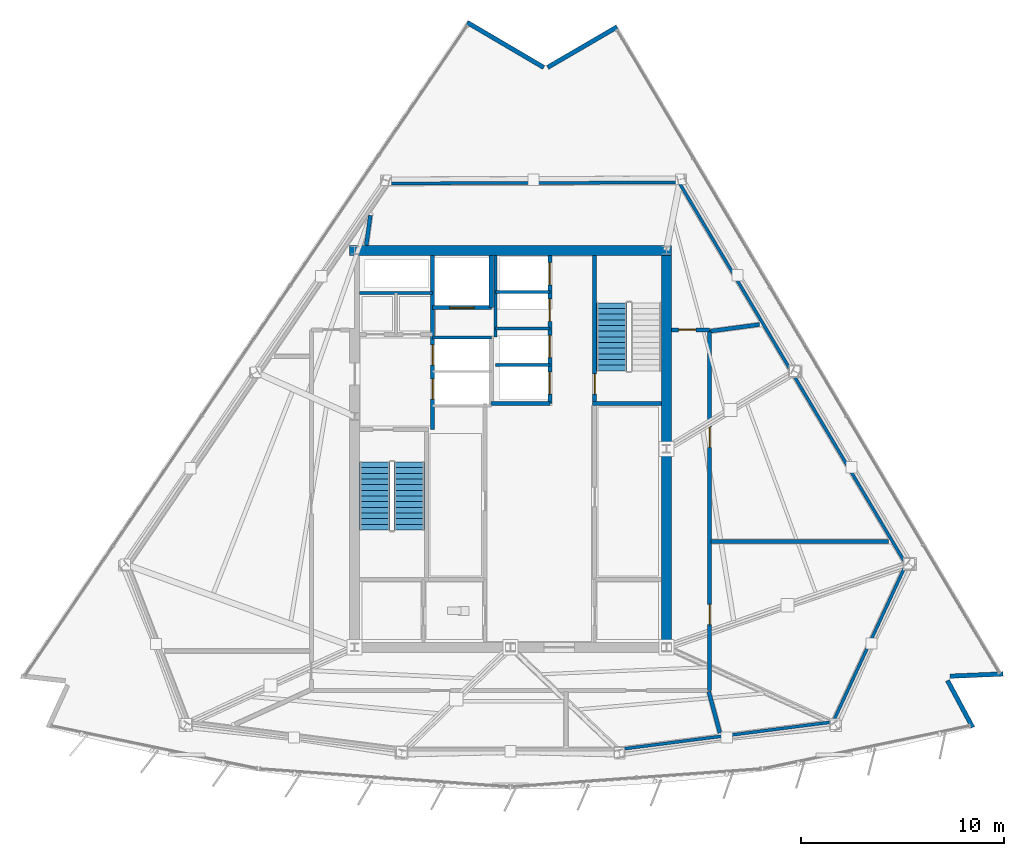
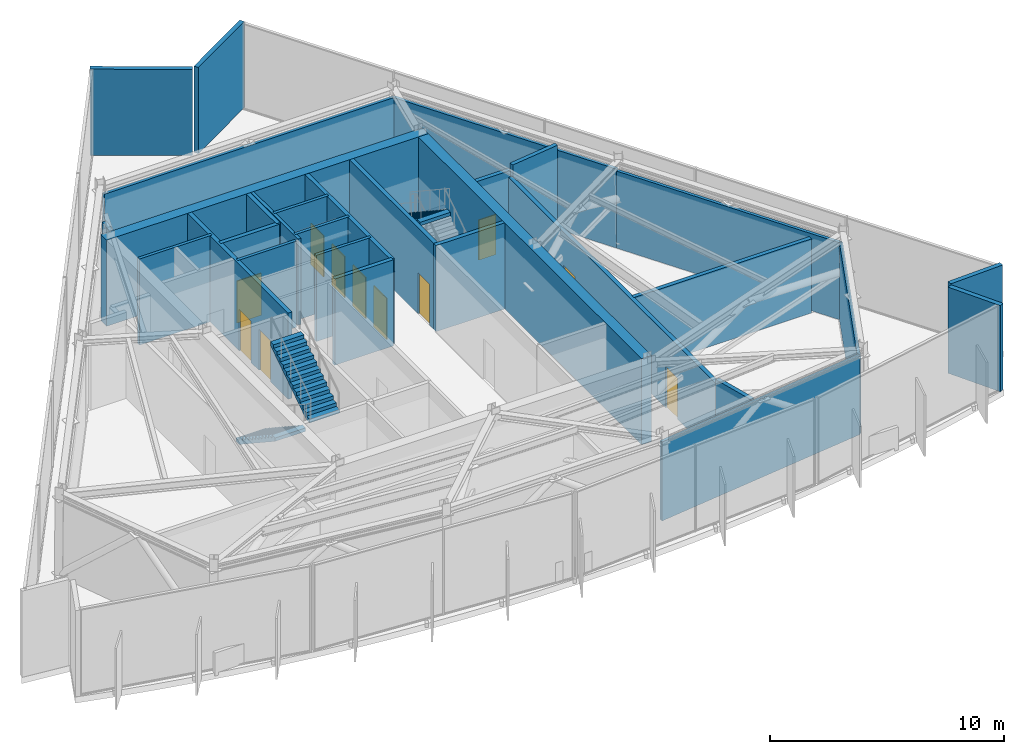
# One storey, part 9 of 14: 30 walls, 11 doors, 3 stair flights, 11 openings, 2 elements without a shape of their own.
"""IFC4 building model written with IfcOpenShell, lengths in metres."""

from ifc_helpers import new_model, si_unit, direction, frame, frame_2d, origin, place, context, subcontext, project, spatial, polyline, rectangle, outline, extrude, material, layer, layer_set, type_object, element, fill, aggregate, save


model = new_model("IFC4")

# Units and contexts
model_context = context("Model", 3, precision=1e-05, world=origin(), true_north=direction((0.0, 1.0)))
body_context = subcontext(model_context, "Body", "Model", "MODEL_VIEW")
ifc_project = project(units=[si_unit("LENGTHUNIT", "METRE"), si_unit("AREAUNIT", "SQUARE_METRE"), si_unit("VOLUMEUNIT", "CUBIC_METRE"), si_unit("PLANEANGLEUNIT", "RADIAN"), si_unit("MASSUNIT", "GRAM", prefix="KILO")], contexts=[model_context])

# Site, building, storey
site_placement = place(None, origin())
site = spatial("IfcSite", under=ifc_project, at=site_placement, CompositionType="ELEMENT")
building_placement = place(site_placement, origin())
building = spatial("IfcBuilding", under=site, at=building_placement, Name="Savorim Split Tower", CompositionType="ELEMENT")
storey_placement = place(building_placement, frame((0.0, 0.0, 241.5)))
storey = spatial("IfcBuildingStorey", under=building, at=storey_placement, Name="L64", CompositionType="ELEMENT", Elevation=241.5)

# Walls
ifc_material_1 = material(Name="Concrete C60/75", Category="concrete")
ifc_layer_1 = layer(ifc_material_1, 0.5)
ifc_layer_set_1 = layer_set([ifc_layer_1], Name="WAL-COR-SH500")
wall_type_1 = type_object("IfcWallType", Name="WAL-COR-SH500", PredefinedType="SHEAR", material=ifc_layer_set_1)
wall_1_placement = place(storey_placement, frame((7.949951171875, 10.199951171875, 0.0), z_axis=(0.0, 0.0, 1.0), x_axis=(-1.0, 0.0, 0.0)))
element("IfcWall", 1, at=wall_1_placement, inside=storey, type_object=wall_type_1, Name="L64 Offset Core North Shear Wall", PredefinedType="SHEAR", context=body_context, shape_type="SweptSolid", body=[
    extrude(rectangle(XDim=15.89990234375, YDim=0.5, at=frame_2d((7.949951171875, 0.0))), origin(), (0.0, 0.0, 1.0), 4.5),
])
wall_2_placement = place(storey_placement, frame((7.699951171875, 9.949951171875, 0.0), z_axis=(0.0, 0.0, 1.0), x_axis=(0.0, -1.0, 0.0)))
element("IfcWall", 2, at=wall_2_placement, inside=storey, type_object=wall_type_1, Name="L64 Offset Core East Shear Wall", PredefinedType="SHEAR", context=body_context, shape_type="SweptSolid", body=[
    extrude(rectangle(XDim=19.099853515625, YDim=0.5, at=frame_2d((9.5498046875, 0.0))), origin(), (0.0, 0.0, 1.0), 4.5),
])
ifc_material_2 = material(Name="Precast concrete C40/50", Category="concrete")
ifc_layer_2 = layer(ifc_material_2, 0.219970703125)
ifc_layer_set_2 = layer_set([ifc_layer_2], Name="WAL-EXT-CRN220")
wall_type_2 = type_object("IfcWallType", Name="WAL-EXT-CRN220", PredefinedType="SOLIDWALL", material=ifc_layer_set_2)
wall_3_placement = place(storey_placement, frame((21.58056640625, -11.03955078125, 0.0), z_axis=(0.0, 0.0, 1.0), x_axis=(0.472791303324, -0.881174434208, 0.0)))
element("IfcWall", 3, at=wall_3_placement, inside=storey, type_object=wall_type_2, Name="L64 Notched Corner Facade Wall SE1", PredefinedType="SOLIDWALL", context=body_context, shape_type="SweptSolid", body=[
    extrude(rectangle(XDim=2.626953125, YDim=0.219970703125, at=frame_2d((1.3134765625, 0.0))), origin(), (0.0, 0.0, 1.0), 4.5),
])
wall_4_placement = place(storey_placement, frame((24.32421875, -10.71435546875, 0.0), z_axis=(0.0, 0.0, 1.0), x_axis=(-0.999095924753, -0.042512740932, 0.0)))
element("IfcWall", 4, at=wall_4_placement, inside=storey, type_object=wall_type_2, Name="L64 Notched Corner Facade Wall SE", PredefinedType="SOLIDWALL", context=body_context, shape_type="SweptSolid", body=[
    extrude(rectangle(XDim=2.62451171875, YDim=0.219970703125, at=frame_2d((1.312255859375, 0.0))), origin(), (0.0, 0.0, 1.0), 4.5),
])
wall_5_placement = place(storey_placement, frame((1.832275390625, 19.233642578125, 0.0), z_axis=(0.0, 0.0, 1.0), x_axis=(0.86397765749, 0.503530145432, 0.0)))
element("IfcWall", 5, at=wall_5_placement, inside=storey, type_object=wall_type_2, Name="L64 Notched Corner Facade Wall NE1", PredefinedType="SOLIDWALL", context=body_context, shape_type="SweptSolid", body=[
    extrude(rectangle(XDim=3.963623046875, YDim=0.219970703125, at=frame_2d((1.98193359375, 0.0))), origin(), (0.0, 0.0, 1.0), 4.5),
])
wall_6_placement = place(storey_placement, frame((-2.1337890625, 21.453125, 0.0), z_axis=(0.0, 0.0, 1.0), x_axis=(0.862106131527, -0.506727755292, 0.0)))
element("IfcWall", 6, at=wall_6_placement, inside=storey, type_object=wall_type_2, Name="L64 Notched Corner Facade Wall N", PredefinedType="SOLIDWALL", context=body_context, shape_type="SweptSolid", body=[
    extrude(rectangle(XDim=4.379638671875, YDim=0.219970703125, at=frame_2d((2.18994140625, 0.0))), origin(), (0.0, 0.0, 1.0), 4.5),
])

# Wall, openings, doors
ifc_material_3 = material(Name="Concrete C50/60", Category="concrete")
ifc_layer_3 = layer(ifc_material_3, 0.199951171875)
ifc_layer_set_3 = layer_set([ifc_layer_3], Name="WAL-INT-RC200")
wall_type_3 = type_object("IfcWallType", Name="WAL-INT-RC200", PredefinedType="SOLIDWALL", material=ifc_layer_set_3)
wall_7_placement = place(storey_placement, frame((-3.85009765625, 1.35009765625, 0.0), z_axis=(0.0, 0.0, 1.0), x_axis=(0.0, 1.0, 0.0)))
wall_7 = element("IfcWall", 7, at=wall_7_placement, inside=storey, type_object=wall_type_3, Name="L64 Partition W-L64-CR03", PredefinedType="SOLIDWALL", context=body_context, shape_type="SweptSolid", body=[
    extrude(rectangle(XDim=8.594970703125, YDim=0.199951171875, at=frame_2d((4.29736328125, 0.0))), origin(), (0.0, 0.0, 1.0), 4.5),
])
opening_1_placement = place(wall_7_placement, frame((1.5, 0.0, 0.0)))
opening_1 = element("IfcOpeningElement", 8, at=opening_1_placement, cuts=wall_7, Name="Opening LD-FFL", PredefinedType="OPENING", context=body_context, shape_type="SweptSolid", body=[
    extrude(rectangle(XDim=1.0, YDim=2.14990234375, at=frame_2d((0.5, 1.074951171875))), frame((0.0, 0.10986328125, 0.0), z_axis=(0.0, -1.0, 0.0), x_axis=(1.0, 0.0, 0.0)), (0.0, 0.0, 1.0), 0.219970703125),
])
opening_2_placement = place(wall_7_placement, frame((3.179931640625, 0.0, 0.0)))
opening_2 = element("IfcOpeningElement", 9, at=opening_2_placement, cuts=wall_7, Name="Opening LD-FFL", PredefinedType="OPENING", context=body_context, shape_type="SweptSolid", body=[
    extrude(rectangle(XDim=1.0, YDim=2.14990234375, at=frame_2d((0.5, 1.074951171875))), frame((0.0, 0.10986328125, 0.0), z_axis=(0.0, -1.0, 0.0), x_axis=(1.0, 0.0, 0.0)), (0.0, 0.0, 1.0), 0.219970703125),
])
ifc_material_4 = material(Name="Charcoal Anodised Aluminium", Category="aluminium")
door_type_1 = type_object("IfcDoorType", Name="DOR-SLD-LD1000", OperationType="NOTDEFINED", PredefinedType="DOOR", material=ifc_material_4)
door_1_placement = place(opening_1_placement, origin())
door_1 = element("IfcDoor", 10, at=door_1_placement, inside=storey, type_object=door_type_1, Name="DR-L64-LD-FFL1 - L64 Firefighting Lift FFL-1 Sliding Landing Door", OperationType="DOUBLE_DOOR_SLIDING", OverallHeight=2.14990234375, OverallWidth=1.0, PredefinedType="DOOR", context=body_context, shape_type="SweptSolid", body=[
    extrude(rectangle(XDim=1.0, YDim=2.14990234375, at=frame_2d((0.5, 1.074951171875))), frame((0.0, 0.02490234375, 0.0), z_axis=(0.0, -1.0, 0.0), x_axis=(1.0, 0.0, 0.0)), (0.0, 0.0, 1.0), 0.050048828125),
])
fill(opening_1, door_1)
door_2_placement = place(opening_2_placement, origin())
door_2 = element("IfcDoor", 11, at=door_2_placement, inside=storey, type_object=door_type_1, Name="DR-L64-LD-FFL2 - L64 Firefighting Lift FFL-2 Sliding Landing Door", OperationType="DOUBLE_DOOR_SLIDING", OverallHeight=2.14990234375, OverallWidth=1.0, PredefinedType="DOOR", context=body_context, shape_type="SweptSolid", body=[
    extrude(rectangle(XDim=1.0, YDim=2.14990234375, at=frame_2d((0.5, 1.074951171875))), frame((0.0, 0.02490234375, 0.0), z_axis=(0.0, -1.0, 0.0), x_axis=(1.0, 0.0, 0.0)), (0.0, 0.0, 1.0), 0.050048828125),
])
fill(opening_2, door_2)

# Wall, opening, door
wall_8_placement = place(storey_placement, frame((4.14990234375, 2.75, 0.0), z_axis=(0.0, 0.0, 1.0), x_axis=(0.0, 1.0, 0.0)))
wall_8 = element("IfcWall", 12, at=wall_8_placement, inside=storey, type_object=wall_type_3, Name="L64 Structural Shaft Wall W-L64-CR07", PredefinedType="SOLIDWALL", context=body_context, shape_type="SweptSolid", body=[
    extrude(rectangle(XDim=7.199951171875, YDim=0.199951171875, at=frame_2d((3.60009765625, 0.0))), origin(), (0.0, 0.0, 1.0), 4.5),
])
opening_3_placement = place(wall_8_placement, frame((0.35009765625, 0.0, 0.0)))
opening_3 = element("IfcOpeningElement", 13, at=opening_3_placement, cuts=wall_8, Name="Opening DI-04", PredefinedType="OPENING", context=body_context, shape_type="SweptSolid", body=[
    extrude(rectangle(XDim=1.0, YDim=2.14990234375, at=frame_2d((0.5, 1.074951171875))), frame((0.0, 0.10986328125, 0.0), z_axis=(0.0, -1.0, 0.0), x_axis=(1.0, 0.0, 0.0)), (0.0, 0.0, 1.0), 0.219970703125),
])
ifc_material_5 = material(Name="Timber Fire Door Leaf", Category="wood")
door_type_2 = type_object("IfcDoorType", Name="DOR-FIR-1000", OperationType="NOTDEFINED", PredefinedType="DOOR", material=ifc_material_5)
door_3_placement = place(opening_3_placement, origin())
door_3 = element("IfcDoor", 14, at=door_3_placement, inside=storey, type_object=door_type_2, Name="DR-L64-ST2 - L64 Stair ST-2 Enclosure Door", OperationType="SINGLE_SWING_RIGHT", OverallHeight=2.14990234375, OverallWidth=1.0, PredefinedType="DOOR", context=body_context, shape_type="SweptSolid", body=[
    extrude(rectangle(XDim=1.0, YDim=2.14990234375, at=frame_2d((0.5, 1.074951171875))), frame((0.0, 0.02490234375, 0.0), z_axis=(0.0, -1.0, 0.0), x_axis=(1.0, 0.0, 0.0)), (0.0, 0.0, 1.0), 0.050048828125),
])
fill(opening_3, door_3)

# Wall
wall_9_placement = place(storey_placement, frame((4.050048828125, 2.64990234375, 0.0), z_axis=(0.0, 0.0, 1.0), x_axis=(1.0, 0.0, 0.0)))
element("IfcWall", 15, at=wall_9_placement, inside=storey, type_object=wall_type_3, Name="L64 Structural Shaft Wall W-L64-CR08", PredefinedType="SOLIDWALL", context=body_context, shape_type="SweptSolid", body=[
    extrude(rectangle(XDim=3.39990234375, YDim=0.199951171875, at=frame_2d((1.699951171875, 0.0))), origin(), (0.0, 0.0, 1.0), 4.5),
])

# Wall, opening, door
wall_10_placement = place(storey_placement, frame((-3.85009765625, 7.3798828125, 0.0), z_axis=(0.0, 0.0, 1.0), x_axis=(1.0, 0.0, 0.0)))
wall_10 = element("IfcWall", 16, at=wall_10_placement, inside=storey, type_object=wall_type_3, Name="L64 Partition W-L64-SVLS", PredefinedType="SOLIDWALL", context=body_context, shape_type="SweptSolid", body=[
    extrude(rectangle(XDim=2.900146484375, YDim=0.199951171875, at=frame_2d((1.4501953125, 0.0))), origin(), (0.0, 0.0, 1.0), 4.5),
])
opening_4_placement = place(wall_10_placement, frame((0.85009765625, 0.0, 0.0)))
opening_4 = element("IfcOpeningElement", 17, at=opening_4_placement, cuts=wall_10, Name="Opening LD-SV", PredefinedType="OPENING", context=body_context, shape_type="SweptSolid", body=[
    extrude(rectangle(XDim=1.199951171875, YDim=2.199951171875, at=frame_2d((0.60009765625, 1.10009765625))), frame((0.0, 0.10986328125, 0.0), z_axis=(0.0, -1.0, 0.0), x_axis=(1.0, 0.0, 0.0)), (0.0, 0.0, 1.0), 0.219970703125),
])
door_type_3 = type_object("IfcDoorType", Name="DOR-SLD-SV1200", OperationType="NOTDEFINED", PredefinedType="DOOR", material=ifc_material_4)
door_4_placement = place(opening_4_placement, origin())
door_4 = element("IfcDoor", 18, at=door_4_placement, inside=storey, type_object=door_type_3, Name="DR-L64-LD-SVL1 - L64 Service Lift SVL-1 Sliding Landing Door", OperationType="DOUBLE_DOOR_SLIDING", OverallHeight=2.199951171875, OverallWidth=1.199951171875, PredefinedType="DOOR", context=body_context, shape_type="SweptSolid", body=[
    extrude(rectangle(XDim=1.199951171875, YDim=2.199951171875, at=frame_2d((0.60009765625, 1.10009765625))), frame((0.0, 0.02490234375, 0.0), z_axis=(0.0, -1.0, 0.0), x_axis=(1.0, 0.0, 0.0)), (0.0, 0.0, 1.0), 0.050048828125),
])
fill(opening_4, door_4)

# Wall
wall_11_placement = place(storey_placement, frame((-0.949951171875, 7.3798828125, 0.0), z_axis=(0.0, 0.0, 1.0), x_axis=(0.0, 1.0, 0.0)))
element("IfcWall", 19, at=wall_11_placement, inside=storey, type_object=wall_type_3, Name="L64 Partition W-L64-SVLE", PredefinedType="SOLIDWALL", context=body_context, shape_type="SweptSolid", body=[
    extrude(rectangle(XDim=2.565185546875, YDim=0.199951171875, at=frame_2d((1.28271484375, 0.0))), origin(), (0.0, 0.0, 1.0), 4.5),
])

# Wall, openings, doors
wall_12_placement = place(storey_placement, frame((1.949951171875, 2.64990234375, 0.0), z_axis=(0.0, 0.0, 1.0), x_axis=(0.0, 1.0, 0.0)))
wall_12 = element("IfcWall", 20, at=wall_12_placement, inside=storey, type_object=wall_type_3, Name="L64 Partition W-L64-B3FRONT", PredefinedType="SOLIDWALL", context=body_context, shape_type="SweptSolid", body=[
    extrude(rectangle(XDim=7.295166015625, YDim=0.199951171875, at=frame_2d((3.6474609375, 0.0))), origin(), (0.0, 0.0, 1.0), 4.5),
])
opening_5_placement = place(wall_12_placement, frame((0.449951171875, 0.0, 0.0)))
opening_5 = element("IfcOpeningElement", 21, at=opening_5_placement, cuts=wall_12, Name="Opening LD-03", PredefinedType="OPENING", context=body_context, shape_type="SweptSolid", body=[
    extrude(rectangle(XDim=1.10009765625, YDim=2.14990234375, at=frame_2d((0.550048828125, 1.074951171875))), frame((0.0, 0.10986328125, 0.0), z_axis=(0.0, -1.0, 0.0), x_axis=(1.0, 0.0, 0.0)), (0.0, 0.0, 1.0), 0.219970703125),
])
opening_6_placement = place(wall_12_placement, frame((2.25, 0.0, 0.0)))
opening_6 = element("IfcOpeningElement", 22, at=opening_6_placement, cuts=wall_12, Name="Opening LD-03", PredefinedType="OPENING", context=body_context, shape_type="SweptSolid", body=[
    extrude(rectangle(XDim=1.10009765625, YDim=2.14990234375, at=frame_2d((0.550048828125, 1.074951171875))), frame((0.0, 0.10986328125, 0.0), z_axis=(0.0, -1.0, 0.0), x_axis=(1.0, 0.0, 0.0)), (0.0, 0.0, 1.0), 0.219970703125),
])
opening_7_placement = place(wall_12_placement, frame((4.050048828125, 0.0, 0.0)))
opening_7 = element("IfcOpeningElement", 23, at=opening_7_placement, cuts=wall_12, Name="Opening LD-03", PredefinedType="OPENING", context=body_context, shape_type="SweptSolid", body=[
    extrude(rectangle(XDim=1.10009765625, YDim=2.14990234375, at=frame_2d((0.550048828125, 1.074951171875))), frame((0.0, 0.10986328125, 0.0), z_axis=(0.0, -1.0, 0.0), x_axis=(1.0, 0.0, 0.0)), (0.0, 0.0, 1.0), 0.219970703125),
])
opening_8_placement = place(wall_12_placement, frame((5.85009765625, 0.0, 0.0)))
opening_8 = element("IfcOpeningElement", 24, at=opening_8_placement, cuts=wall_12, Name="Opening LD-03", PredefinedType="OPENING", context=body_context, shape_type="SweptSolid", body=[
    extrude(rectangle(XDim=1.10009765625, YDim=2.14990234375, at=frame_2d((0.550048828125, 1.074951171875))), frame((0.0, 0.10986328125, 0.0), z_axis=(0.0, -1.0, 0.0), x_axis=(1.0, 0.0, 0.0)), (0.0, 0.0, 1.0), 0.219970703125),
])
door_type_4 = type_object("IfcDoorType", Name="DOR-SLD-LDH1100", OperationType="NOTDEFINED", PredefinedType="DOOR", material=ifc_material_4)
door_5_placement = place(opening_5_placement, origin())
door_5 = element("IfcDoor", 25, at=door_5_placement, inside=storey, type_object=door_type_4, Name="DR-L64-LD-PLH1 - L64 Lift PL-H1 Sliding Landing Door", OperationType="DOUBLE_DOOR_SLIDING", OverallHeight=2.14990234375, OverallWidth=1.10009765625, PredefinedType="DOOR", context=body_context, shape_type="SweptSolid", body=[
    extrude(rectangle(XDim=1.10009765625, YDim=2.14990234375, at=frame_2d((0.550048828125, 1.074951171875))), frame((0.0, 0.02490234375, 0.0), z_axis=(0.0, -1.0, 0.0), x_axis=(1.0, 0.0, 0.0)), (0.0, 0.0, 1.0), 0.050048828125),
])
fill(opening_5, door_5)
door_6_placement = place(opening_6_placement, origin())
door_6 = element("IfcDoor", 26, at=door_6_placement, inside=storey, type_object=door_type_4, Name="DR-L64-LD-PLH2 - L64 Lift PL-H2 Sliding Landing Door", OperationType="DOUBLE_DOOR_SLIDING", OverallHeight=2.14990234375, OverallWidth=1.10009765625, PredefinedType="DOOR", context=body_context, shape_type="SweptSolid", body=[
    extrude(rectangle(XDim=1.10009765625, YDim=2.14990234375, at=frame_2d((0.550048828125, 1.074951171875))), frame((0.0, 0.02490234375, 0.0), z_axis=(0.0, -1.0, 0.0), x_axis=(1.0, 0.0, 0.0)), (0.0, 0.0, 1.0), 0.050048828125),
])
fill(opening_6, door_6)
door_7_placement = place(opening_7_placement, origin())
door_7 = element("IfcDoor", 27, at=door_7_placement, inside=storey, type_object=door_type_4, Name="DR-L64-LD-PLH3 - L64 Lift PL-H3 Sliding Landing Door", OperationType="DOUBLE_DOOR_SLIDING", OverallHeight=2.14990234375, OverallWidth=1.10009765625, PredefinedType="DOOR", context=body_context, shape_type="SweptSolid", body=[
    extrude(rectangle(XDim=1.10009765625, YDim=2.14990234375, at=frame_2d((0.550048828125, 1.074951171875))), frame((0.0, 0.02490234375, 0.0), z_axis=(0.0, -1.0, 0.0), x_axis=(1.0, 0.0, 0.0)), (0.0, 0.0, 1.0), 0.050048828125),
])
fill(opening_7, door_7)
door_8_placement = place(opening_8_placement, origin())
door_8 = element("IfcDoor", 28, at=door_8_placement, inside=storey, type_object=door_type_4, Name="DR-L64-LD-PLH4 - L64 Lift PL-H4 Sliding Landing Door", OperationType="DOUBLE_DOOR_SLIDING", OverallHeight=2.14990234375, OverallWidth=1.10009765625, PredefinedType="DOOR", context=body_context, shape_type="SweptSolid", body=[
    extrude(rectangle(XDim=1.10009765625, YDim=2.14990234375, at=frame_2d((0.550048828125, 1.074951171875))), frame((0.0, 0.02490234375, 0.0), z_axis=(0.0, -1.0, 0.0), x_axis=(1.0, 0.0, 0.0)), (0.0, 0.0, 1.0), 0.050048828125),
])
fill(opening_8, door_8)

# Wall
wall_13_placement = place(storey_placement, frame((-0.949951171875, 2.64990234375, 0.0), z_axis=(0.0, 0.0, 1.0), x_axis=(1.0, 0.0, 0.0)))
element("IfcWall", 29, at=wall_13_placement, inside=storey, type_object=wall_type_3, Name="L64 Partition W-L64-B3SOUTH", PredefinedType="SOLIDWALL", context=body_context, shape_type="SweptSolid", body=[
    extrude(rectangle(XDim=2.89990234375, YDim=0.199951171875, at=frame_2d((1.449951171875, 0.0))), origin(), (0.0, 0.0, 1.0), 4.5),
])

# Wall, openings, doors
wall_14_placement = place(storey_placement, frame((9.830078125, -11.530029296875, 0.0), z_axis=(0.0, 0.0, 1.0), x_axis=(0.0, 1.0, 0.0)))
wall_14 = element("IfcWall", 30, at=wall_14_placement, inside=storey, type_object=wall_type_3, Name="L64 Partition W-L64-COR-E1", PredefinedType="SOLIDWALL", context=body_context, shape_type="SweptSolid", body=[
    extrude(rectangle(XDim=17.81005859375, YDim=0.199951171875, at=frame_2d((8.905029296875, 0.0))), origin(), (0.0, 0.0, 1.0), 3.875),
])
opening_9_placement = place(wall_14_placement, frame((3.255859375, 0.0, 0.0)))
opening_9 = element("IfcOpeningElement", 31, at=opening_9_placement, cuts=wall_14, Name="Opening DI-04", PredefinedType="OPENING", context=body_context, shape_type="SweptSolid", body=[
    extrude(rectangle(XDim=1.0, YDim=2.14990234375, at=frame_2d((0.5, 1.074951171875))), frame((0.0, 0.10986328125, 0.0), z_axis=(0.0, -1.0, 0.0), x_axis=(1.0, 0.0, 0.0)), (0.0, 0.0, 1.0), 0.219970703125),
])
opening_10_placement = place(wall_14_placement, frame((12.007568359375, 0.0, 0.0)))
opening_10 = element("IfcOpeningElement", 32, at=opening_10_placement, cuts=wall_14, Name="Opening DI-04", PredefinedType="OPENING", context=body_context, shape_type="SweptSolid", body=[
    extrude(rectangle(XDim=1.0, YDim=2.14990234375, at=frame_2d((0.5, 1.074951171875))), frame((0.0, 0.10986328125, 0.0), z_axis=(0.0, -1.0, 0.0), x_axis=(1.0, 0.0, 0.0)), (0.0, 0.0, 1.0), 0.219970703125),
])
door_9_placement = place(opening_9_placement, origin())
door_9 = element("IfcDoor", 33, at=door_9_placement, inside=storey, type_object=door_type_2, Name="DR-L64-RM05 - L64 Refuge Area North Entry Door", OperationType="SINGLE_SWING_RIGHT", OverallHeight=2.14990234375, OverallWidth=1.0, PredefinedType="DOOR", context=body_context, shape_type="SweptSolid", body=[
    extrude(rectangle(XDim=1.0, YDim=2.14990234375, at=frame_2d((0.5, 1.074951171875))), frame((0.0, 0.02490234375, 0.0), z_axis=(0.0, -1.0, 0.0), x_axis=(1.0, 0.0, 0.0)), (0.0, 0.0, 1.0), 0.050048828125),
])
fill(opening_9, door_9)
door_10_placement = place(opening_10_placement, origin())
door_10 = element("IfcDoor", 34, at=door_10_placement, inside=storey, type_object=door_type_2, Name="DR-L64-RM06 - L64 Refuge Area North-East Entry Door", OperationType="SINGLE_SWING_LEFT", OverallHeight=2.14990234375, OverallWidth=1.0, PredefinedType="DOOR", context=body_context, shape_type="SweptSolid", body=[
    extrude(rectangle(XDim=1.0, YDim=2.14990234375, at=frame_2d((0.5, 1.074951171875))), frame((0.0, 0.02490234375, 0.0), z_axis=(0.0, -1.0, 0.0), x_axis=(1.0, 0.0, 0.0)), (0.0, 0.0, 1.0), 0.050048828125),
])
fill(opening_10, door_10)

# Wall, opening, door
wall_15_placement = place(storey_placement, frame((7.949951171875, 6.280029296875, 0.0), z_axis=(0.0, 0.0, 1.0), x_axis=(1.0, 0.0, 0.0)))
wall_15 = element("IfcWall", 35, at=wall_15_placement, inside=storey, type_object=wall_type_3, Name="L64 Partition W-L64-COR-EN1", PredefinedType="SOLIDWALL", context=body_context, shape_type="SweptSolid", body=[
    extrude(rectangle(XDim=1.880126953125, YDim=0.199951171875, at=frame_2d((0.93994140625, 0.0))), origin(), (0.0, 0.0, 1.0), 4.205078125),
])
opening_11_placement = place(wall_15_placement, frame((0.35498046875, 0.0, 0.0)))
opening_11 = element("IfcOpeningElement", 36, at=opening_11_placement, cuts=wall_15, Name="Opening DI-12", PredefinedType="OPENING", context=body_context, shape_type="SweptSolid", body=[
    extrude(rectangle(XDim=0.85009765625, YDim=2.10009765625, at=frame_2d((0.425048828125, 1.050048828125))), frame((0.0, 0.10986328125, 0.0), z_axis=(0.0, -1.0, 0.0), x_axis=(1.0, 0.0, 0.0)), (0.0, 0.0, 1.0), 0.219970703125),
])
ifc_material_6 = material(Name="Galvanised Painted Steel Balustrade", Category="steel")
door_type_5 = type_object("IfcDoorType", Name="DOR-RIS-850", OperationType="NOTDEFINED", PredefinedType="DOOR", material=ifc_material_6)
door_11_placement = place(opening_11_placement, origin())
door_11 = element("IfcDoor", 37, at=door_11_placement, inside=storey, type_object=door_type_5, Name="DR-L64-RM07 - L64 Refuge Area South-West Entry Door", OperationType="SINGLE_SWING_RIGHT", OverallHeight=2.10009765625, OverallWidth=0.85009765625, PredefinedType="DOOR", context=body_context, shape_type="SweptSolid", body=[
    extrude(rectangle(XDim=0.85009765625, YDim=2.10009765625, at=frame_2d((0.425048828125, 1.050048828125))), frame((0.0, 0.02490234375, 0.0), z_axis=(0.0, -1.0, 0.0), x_axis=(1.0, 0.0, 0.0)), (0.0, 0.0, 1.0), 0.050048828125),
])
fill(opening_11, door_11)

# Walls
wall_16_placement = place(storey_placement, frame((9.79052734375, -11.583740234375, 0.0), z_axis=(0.0, 0.0, 1.0), x_axis=(0.260035449491, -0.96559907053, 0.0)))
element("IfcWall", 38, at=wall_16_placement, inside=storey, type_object=wall_type_3, Name="L64 Partition W-L64-PLW06", PredefinedType="SOLIDWALL", context=body_context, shape_type="SweptSolid", body=[
    extrude(rectangle(XDim=2.119140625, YDim=0.199951171875, at=frame_2d((1.0595703125, 0.0))), origin(), (0.0, 0.0, 1.0), 4.114990234375),
])
wall_17_placement = place(storey_placement, frame((9.889892578125, -4.171630859375, 0.0), z_axis=(0.0, 0.0, 1.0), x_axis=(1.0, 0.0, 0.0)))
element("IfcWall", 39, at=wall_17_placement, inside=storey, type_object=wall_type_3, Name="L64 Partition W-L64-PLW09", PredefinedType="SOLIDWALL", context=body_context, shape_type="SweptSolid", body=[
    extrude(rectangle(XDim=8.775146484375, YDim=0.199951171875, at=frame_2d((4.3876953125, 0.0))), origin(), (0.0, 0.0, 1.0), 3.875),
])
wall_18_placement = place(storey_placement, frame((9.888916015625, 6.213623046875, 0.0), z_axis=(0.0, 0.0, 1.0), x_axis=(0.991015123337, 0.133749860998, 0.0)))
element("IfcWall", 40, at=wall_18_placement, inside=storey, type_object=wall_type_3, Name="L64 Partition W-L64-PLW10", PredefinedType="SOLIDWALL", context=body_context, shape_type="SweptSolid", body=[
    extrude(rectangle(XDim=2.429443359375, YDim=0.199951171875, at=frame_2d((1.21484375, 0.0))), origin(), (0.0, 0.0, 1.0), 4.5),
])
wall_19_placement = place(storey_placement, frame((-7.121826171875, 10.449951171875, 0.0), z_axis=(0.0, 0.0, 1.0), x_axis=(0.135914078288, 0.990720628292, 0.0)))
element("IfcWall", 41, at=wall_19_placement, inside=storey, type_object=wall_type_3, Name="L64 Partition W-L64-PLW14", PredefinedType="SOLIDWALL", context=body_context, shape_type="SweptSolid", body=[
    extrude(rectangle(XDim=1.496337890625, YDim=0.199951171875, at=frame_2d((0.748046875, 0.0))), origin(), (0.0, 0.0, 1.0), 3.925048828125),
])
ifc_material_7 = material(Name="Acoustic Gypsum Partition Board")
ifc_layer_4 = layer(ifc_material_7, 0.14990234375)
ifc_layer_set_4 = layer_set([ifc_layer_4], Name="WAL-PAR-150")
wall_type_4 = type_object("IfcWallType", Name="WAL-PAR-150", PredefinedType="PARTITIONING", material=ifc_layer_set_4)
wall_20_placement = place(storey_placement, frame((-7.445068359375, 8.10009765625, 0.0), z_axis=(0.0, 0.0, 1.0), x_axis=(1.0, 0.0, 0.0)))
element("IfcWall", 42, at=wall_20_placement, inside=storey, type_object=wall_type_4, Name="L64 Partition W-L64-CR05", PredefinedType="PARTITIONING", context=body_context, shape_type="SweptSolid", body=[
    extrude(rectangle(XDim=3.594970703125, YDim=0.14990234375, at=frame_2d((1.79736328125, 0.0))), origin(), (0.0, 0.0, 1.0), 4.5),
])
wall_21_placement = place(storey_placement, frame((-3.85009765625, 5.89990234375, 0.0), z_axis=(0.0, 0.0, 1.0), x_axis=(1.0, 0.0, 0.0)))
element("IfcWall", 43, at=wall_21_placement, inside=storey, type_object=wall_type_4, Name="L64 Partition W-L64-FFLD2", PredefinedType="PARTITIONING", context=body_context, shape_type="SweptSolid", body=[
    extrude(rectangle(XDim=2.900146484375, YDim=0.14990234375, at=frame_2d((1.4501953125, 0.0))), origin(), (0.0, 0.0, 1.0), 4.5),
])
wall_22_placement = place(storey_placement, frame((-0.75, 5.919921875, 0.0), z_axis=(0.0, 0.0, 1.0), x_axis=(0.0, 1.0, 0.0)))
element("IfcWall", 44, at=wall_22_placement, inside=storey, type_object=wall_type_4, Name="L64 Partition W-L64-B3WEST", PredefinedType="PARTITIONING", context=body_context, shape_type="SweptSolid", body=[
    extrude(rectangle(XDim=4.025146484375, YDim=0.14990234375, at=frame_2d((2.0126953125, 0.0))), origin(), (0.0, 0.0, 1.0), 4.5),
])
for number, where, z_axis, x_axis, name in (
    (45, (-0.75, 4.550048828125, 0.0), (0.0, 0.0, 1.0), (1.0, 0.0, 0.0), "L64 Partition W-L64-B3DIV1"),
    (46, (-0.75, 6.35009765625, 0.0), (0.0, 0.0, 1.0), (1.0, 0.0, 0.0), "L64 Partition W-L64-B3DIV2"),
    (47, (-0.75, 8.14990234375, 0.0), (0.0, 0.0, 1.0), (1.0, 0.0, 0.0), "L64 Partition W-L64-B3DIV3"),
):
    element("IfcWall", number, at=place(storey_placement, frame(where, z_axis=z_axis, x_axis=x_axis)), inside=storey, type_object=wall_type_4, Name=name, PredefinedType="PARTITIONING", context=body_context, shape_type="SweptSolid", body=[
        extrude(rectangle(XDim=2.699951171875, YDim=0.14990234375, at=frame_2d((1.35009765625, 0.0))), origin(), (0.0, 0.0, 1.0), 4.5),
    ])
wall_23_placement = place(storey_placement, frame((-6.05322265625, 13.506103515625, 0.0), z_axis=(0.0, 0.0, 1.0), x_axis=(0.999994346507, 0.003362581401, 0.0)))
element("IfcWall", 48, at=wall_23_placement, inside=storey, type_object=wall_type_4, Name="L64 Partition W-L64-PBLT03", PredefinedType="PARTITIONING", context=body_context, shape_type="SweptSolid", body=[
    extrude(rectangle(XDim=14.375732421875, YDim=0.14990234375, at=frame_2d((7.18798828125, 0.0))), origin(), (0.0, 0.0, 1.0), 4.125),
])
wall_24_placement = place(storey_placement, frame((8.322509765625, 13.554443359375, 0.0), z_axis=(0.0, 0.0, 1.0), x_axis=(0.51109940129, -0.859521612294, 0.0)))
element("IfcWall", 49, at=wall_24_placement, inside=storey, type_object=wall_type_4, Name="L64 Partition W-L64-PBLT04", PredefinedType="PARTITIONING", context=body_context, shape_type="SweptSolid", body=[
    extrude(rectangle(XDim=10.964599609375, YDim=0.14990234375, at=frame_2d((5.482421875, 0.0))), origin(), (0.0, 0.0, 1.0), 4.125),
])
wall_25_placement = place(storey_placement, frame((13.926513671875, 4.130126953125, 0.0), z_axis=(0.0, 0.0, 1.0), x_axis=(0.511085167896, -0.859530075772, 0.0)))
element("IfcWall", 50, at=wall_25_placement, inside=storey, type_object=wall_type_4, Name="L64 Partition W-L64-PBLT05", PredefinedType="PARTITIONING", context=body_context, shape_type="SweptSolid", body=[
    extrude(rectangle(XDim=10.9716796875, YDim=0.14990234375, at=frame_2d((5.48583984375, 0.0))), origin(), (0.0, 0.0, 1.0), 4.02490234375),
])
wall_26_placement = place(storey_placement, frame((19.533935546875, -5.30029296875, 0.0), z_axis=(0.0, 0.0, 1.0), x_axis=(-0.42002371966, -0.907513126584, 0.0)))
element("IfcWall", 51, at=wall_26_placement, inside=storey, type_object=wall_type_4, Name="L64 Partition W-L64-PBLT06", PredefinedType="PARTITIONING", context=body_context, shape_type="SweptSolid", body=[
    extrude(rectangle(XDim=8.576416015625, YDim=0.14990234375, at=frame_2d((4.2880859375, 0.0))), origin(), (0.0, 0.0, 1.0), 4.02490234375),
])
wall_27_placement = place(storey_placement, frame((15.931640625, -13.08349609375, 0.0), z_axis=(0.0, 0.0, 1.0), x_axis=(-0.991857335362, -0.127353941002, 0.0)))
element("IfcWall", 52, at=wall_27_placement, inside=storey, type_object=wall_type_4, Name="L64 Partition W-L64-PBLT07", PredefinedType="PARTITIONING", context=body_context, shape_type="SweptSolid", body=[
    extrude(rectangle(XDim=10.65283203125, YDim=0.14990234375, at=frame_2d((5.326416015625, 0.0))), origin(), (0.0, 0.0, 1.0), 4.125),
])

# Stair, stair flights
stair_type = type_object("IfcStairType", Name="STR-DOG-4800", PredefinedType="HALF_TURN_STAIR", material=ifc_material_3)
stair_1_placement = place(storey_placement, origin())
stair_1 = element("IfcStair", 53, at=stair_1_placement, inside=storey, type_object=stair_type, Name="L64 Core Protected Exit Stair ST-1", PredefinedType="HALF_TURN_STAIR")
stair_flight_type = type_object("IfcStairFlightType", Name="SFL-DOG-4800", PredefinedType="STRAIGHT", material=ifc_material_3)
stair_flight_1_placement = place(storey_placement, frame((-6.699951171875, -0.25, 0.0), z_axis=(0.0, 0.0, 1.0), x_axis=(0.0, -1.0, 0.0)))
stair_flight_1 = element("IfcStairFlight", 54, at=stair_flight_1_placement, type_object=stair_flight_type, Name="ST-1 flight 1", NumberOfRisers=13, NumberOfTreads=12, PredefinedType="STRAIGHT", RiserHeight=0.184615385, TreadLength=0.28, context=body_context, shape_type="SweptSolid", body=[
    extrude(outline(polyline([(0.0, 0.0), (0.0, 0.1845703125), (0.280029296875, 0.1845703125), (0.280029296875, 0.369140625), (0.56005859375, 0.369140625), (0.56005859375, 0.553955078125), (0.840087890625, 0.553955078125), (0.840087890625, 0.738525390625), (1.1201171875, 0.738525390625), (1.1201171875, 0.923095703125), (1.39990234375, 0.923095703125), (1.39990234375, 1.107666015625), (1.679931640625, 1.107666015625), (1.679931640625, 1.292236328125), (1.9599609375, 1.292236328125), (1.9599609375, 1.476806640625), (2.239990234375, 1.476806640625), (2.239990234375, 1.66162109375), (2.52001953125, 1.66162109375), (2.52001953125, 1.84619140625), (2.800048828125, 1.84619140625), (2.800048828125, 2.03076171875), (3.080078125, 2.03076171875), (3.080078125, 2.21533203125), (3.360107421875, 2.21533203125), (3.360107421875, 2.39990234375), (3.360107421875, 2.035888671875), (0.272216796875, 0.0), (0.0, 0.0)])), frame((0.0, 0.75, 0.0), z_axis=(0.0, -1.0, 0.0), x_axis=(1.0, 0.0, 0.0)), (0.0, 0.0, 1.0), 1.5),
])
stair_flight_2_placement = place(storey_placement, frame((-5.0, -3.610107421875, 2.39990234375), z_axis=(0.0, 0.0, 1.0), x_axis=(0.0, 1.0, 0.0)))
stair_flight_2 = element("IfcStairFlight", 55, at=stair_flight_2_placement, type_object=stair_flight_type, Name="ST-1 flight 2", NumberOfRisers=13, NumberOfTreads=12, PredefinedType="STRAIGHT", RiserHeight=0.184615385, TreadLength=0.28, context=body_context, shape_type="SweptSolid", body=[
    extrude(outline(polyline([(0.0, 0.0), (0.0, 0.1845703125), (0.280029296875, 0.1845703125), (0.280029296875, 0.369140625), (0.56005859375, 0.369140625), (0.56005859375, 0.553955078125), (0.840087890625, 0.553955078125), (0.840087890625, 0.738525390625), (1.1201171875, 0.738525390625), (1.1201171875, 0.923095703125), (1.39990234375, 0.923095703125), (1.39990234375, 1.107666015625), (1.679931640625, 1.107666015625), (1.679931640625, 1.292236328125), (1.9599609375, 1.292236328125), (1.9599609375, 1.476806640625), (2.239990234375, 1.476806640625), (2.239990234375, 1.66162109375), (2.52001953125, 1.66162109375), (2.52001953125, 1.84619140625), (2.800048828125, 1.84619140625), (2.800048828125, 2.03076171875), (3.080078125, 2.03076171875), (3.080078125, 2.21533203125), (3.360107421875, 2.21533203125), (3.360107421875, 2.39990234375), (3.360107421875, 2.035888671875), (0.272216796875, 0.0), (0.0, 0.0)])), frame((0.0, 0.75, 0.0), z_axis=(0.0, -1.0, 0.0), x_axis=(1.0, 0.0, 0.0)), (0.0, 0.0, 1.0), 1.5),
])
aggregate(stair_1, [stair_flight_1, stair_flight_2])

# Stair, stair flight
stair_2_placement = place(storey_placement, origin())
stair_2 = element("IfcStair", 56, at=stair_2_placement, inside=storey, type_object=stair_type, Name="L64 Core Protected Exit Stair ST-2", PredefinedType="HALF_TURN_STAIR")
stair_flight_3_placement = place(storey_placement, frame((5.0, 7.610107421875, 2.39990234375), z_axis=(0.0, 0.0, 1.0), x_axis=(0.0, -1.0, 0.0)))
stair_flight_3 = element("IfcStairFlight", 57, at=stair_flight_3_placement, type_object=stair_flight_type, Name="ST-2 flight 2", NumberOfRisers=13, NumberOfTreads=12, PredefinedType="STRAIGHT", RiserHeight=0.184615385, TreadLength=0.28, context=body_context, shape_type="SweptSolid", body=[
    extrude(outline(polyline([(0.0, 0.0), (0.0, 0.1845703125), (0.280029296875, 0.1845703125), (0.280029296875, 0.369140625), (0.56005859375, 0.369140625), (0.56005859375, 0.553955078125), (0.840087890625, 0.553955078125), (0.840087890625, 0.738525390625), (1.1201171875, 0.738525390625), (1.1201171875, 0.923095703125), (1.39990234375, 0.923095703125), (1.39990234375, 1.107666015625), (1.679931640625, 1.107666015625), (1.679931640625, 1.292236328125), (1.9599609375, 1.292236328125), (1.9599609375, 1.476806640625), (2.239990234375, 1.476806640625), (2.239990234375, 1.66162109375), (2.52001953125, 1.66162109375), (2.52001953125, 1.84619140625), (2.800048828125, 1.84619140625), (2.800048828125, 2.03076171875), (3.080078125, 2.03076171875), (3.080078125, 2.21533203125), (3.360107421875, 2.21533203125), (3.360107421875, 2.39990234375), (3.360107421875, 2.035888671875), (0.272216796875, 0.0), (0.0, 0.0)])), frame((0.0, 0.75, 0.0), z_axis=(0.0, -1.0, 0.0), x_axis=(1.0, 0.0, 0.0)), (0.0, 0.0, 1.0), 1.5),
])
aggregate(stair_2, [stair_flight_3])

save(model, "model.ifc")
